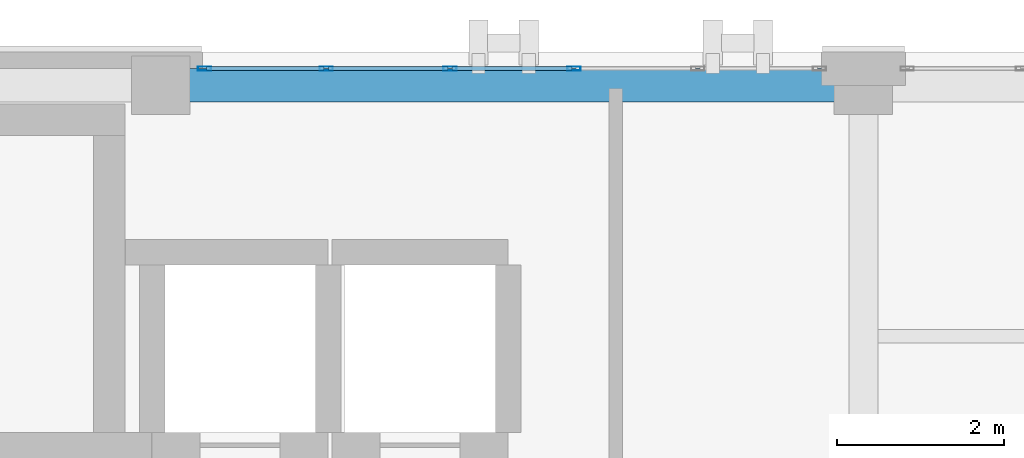
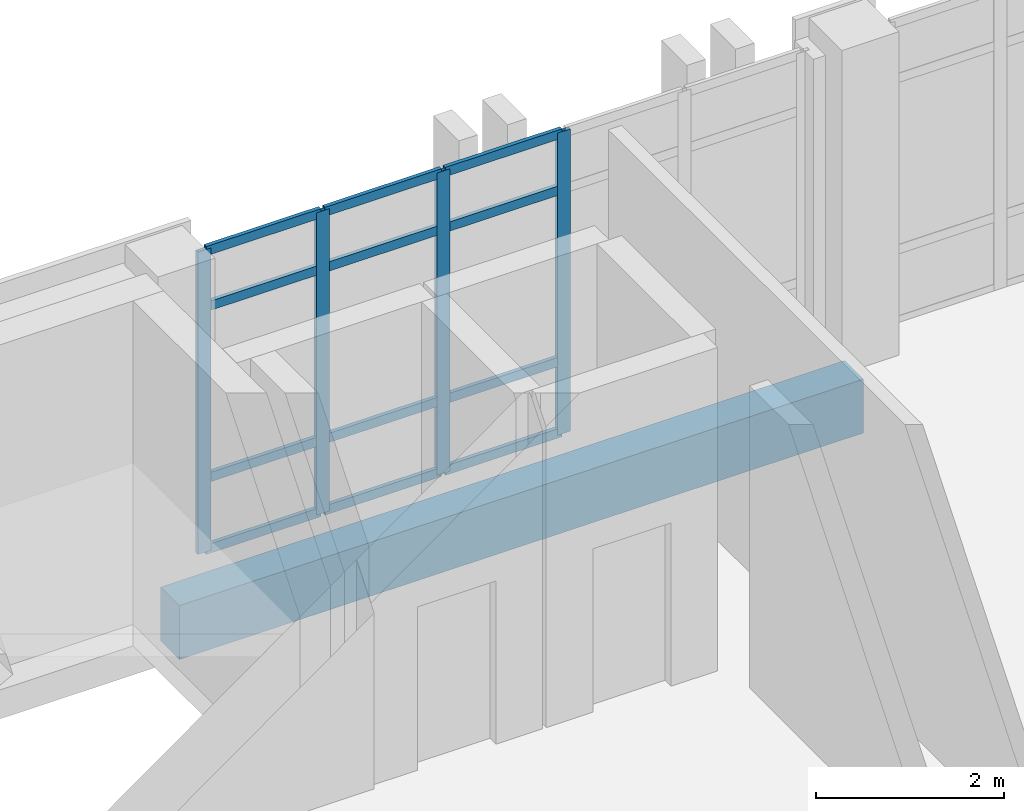
# One storey, part 90 of 158: 16 members, 1 beam, 1 element without a shape of its own.
"""IFC4 building model written with IfcOpenShell, lengths in metres."""

from ifc_helpers import new_model, si_unit, direction, frame, origin, origin_2d, place, context, subcontext, project, spatial, rectangle, hollow_rectangle, extrude, material, layer, layer_set, material_profile, profile_set, type_object, element, aggregate, save


model = new_model("IFC4")

# Units and contexts
model_context = context("Model", 3, precision=1e-05, world=origin(), true_north=direction((0.0, 1.0)))
body_context = subcontext(model_context, "Body", "Model", "MODEL_VIEW")
ifc_project = project(units=[si_unit("LENGTHUNIT", "METRE"), si_unit("AREAUNIT", "SQUARE_METRE"), si_unit("VOLUMEUNIT", "CUBIC_METRE"), si_unit("PLANEANGLEUNIT", "RADIAN"), si_unit("MASSUNIT", "GRAM", prefix="KILO")], contexts=[model_context])

# Site, building, storey
site_placement = place(None, origin())
site = spatial("IfcSite", under=ifc_project, at=site_placement, CompositionType="ELEMENT")
building_placement = place(site_placement, origin())
building = spatial("IfcBuilding", under=site, at=building_placement, Name="Qalavern Law Courts", CompositionType="ELEMENT")
storey_placement = place(building_placement, frame((0.0, 0.0, 18.60009765625)))
storey = spatial("IfcBuildingStorey", under=building, at=storey_placement, Name="L04", CompositionType="ELEMENT", Elevation=18.60009765625)

# Curtain wall, members
ifc_material_1 = material(Name="Anodised aluminium and insulated glazing", Category="aluminium")
ifc_layer = layer(ifc_material_1, 0.166015625)
ifc_layer_set = layer_set([ifc_layer], Name="Anodised aluminium and insulated glazing")
curtain_wall_type = type_object("IfcCurtainWallType", Name="ENV-CW-LIB", PredefinedType="USERDEFINED", material=ifc_layer_set)
curtain_wall_placement = place(storey_placement, origin())
curtain_wall = element("IfcCurtainWall", 1, at=curtain_wall_placement, inside=storey, type_object=curtain_wall_type, Name="V5 unitised curtain wall L04 north 5", ObjectType="UNITISED CURTAIN WALL", PredefinedType="USERDEFINED")
ifc_material_2 = material(Name="Anodised aluminium", Category="aluminium")
ifc_material_profile_1 = material_profile(ifc_material_2, hollow_rectangle(XDim=0.048095703125, YDim=0.159912109375, WallThickness=0.00390625, at=origin_2d()), Name="ALU MULLION 48x160")
ifc_profile_set_1 = profile_set([ifc_material_profile_1], Name="Anodised aluminium")
member_type_1 = type_object("IfcMemberType", Name="ENV-CWM-48x160", PredefinedType="MULLION", material=ifc_profile_set_1)
member_1_placement = place(storey_placement, frame((33.340087890625, 112.800048828125, 0.0), z_axis=(0.0, 0.0, 1.0), x_axis=(0.0, -1.0, 0.0)))
member_1 = element("IfcMember", 2, at=member_1_placement, type_object=member_type_1, Name="CW-05 mullion 3", PredefinedType="MULLION", context=body_context, shape_type="SweptSolid", body=[
    extrude(hollow_rectangle(XDim=0.048095703125, YDim=0.159912109375, WallThickness=0.00390625, at=origin_2d()), origin(), (0.0, 0.0, 1.0), 3.9248046875),
])
member_2_placement = place(storey_placement, frame((31.860107421875, 112.800048828125, 0.0), z_axis=(0.0, 0.0, 1.0), x_axis=(0.0, -1.0, 0.0)))
member_2 = element("IfcMember", 3, at=member_2_placement, type_object=member_type_1, Name="CW-05 mullion 4", PredefinedType="MULLION", context=body_context, shape_type="SweptSolid", body=[
    extrude(hollow_rectangle(XDim=0.048095703125, YDim=0.159912109375, WallThickness=0.00390625, at=origin_2d()), origin(), (0.0, 0.0, 1.0), 3.9248046875),
])
member_3_placement = place(storey_placement, frame((30.3798828125, 112.800048828125, 0.0), z_axis=(0.0, 0.0, 1.0), x_axis=(0.0, -1.0, 0.0)))
member_3 = element("IfcMember", 4, at=member_3_placement, type_object=member_type_1, Name="CW-05 mullion 5", PredefinedType="MULLION", context=body_context, shape_type="SweptSolid", body=[
    extrude(hollow_rectangle(XDim=0.048095703125, YDim=0.159912109375, WallThickness=0.00390625, at=origin_2d()), origin(), (0.0, 0.0, 1.0), 3.9248046875),
])
member_4_placement = place(storey_placement, frame((28.924072265625, 112.800048828125, 0.0), z_axis=(0.0, 0.0, 1.0), x_axis=(0.0, -1.0, 0.0)))
member_4 = element("IfcMember", 5, at=member_4_placement, type_object=member_type_1, Name="CW-05 mullion 6", PredefinedType="MULLION", context=body_context, shape_type="SweptSolid", body=[
    extrude(hollow_rectangle(XDim=0.048095703125, YDim=0.159912109375, WallThickness=0.00390625, at=origin_2d()), origin(), (0.0, 0.0, 1.0), 3.9248046875),
])
ifc_material_profile_2 = material_profile(ifc_material_2, hollow_rectangle(XDim=0.048095703125, YDim=0.1201171875, WallThickness=0.00390625, at=origin_2d()), Name="ALU TRANSOM 48x120")
ifc_profile_set_2 = profile_set([ifc_material_profile_2], Name="Anodised aluminium")
member_type_2 = type_object("IfcMemberType", Name="ENV-CWT-48x120", PredefinedType="USERDEFINED", material=ifc_profile_set_2)
member_5_placement = place(storey_placement, frame((33.31591796875, 112.800048828125, 0.02392578125), z_axis=(-1.0, 0.0, 0.0), x_axis=(0.0, -1.0, 0.0)))
member_5 = element("IfcMember", 6, at=member_5_placement, type_object=member_type_2, Name="CW-05 transom 3.1", ObjectType="TRANSOM", PredefinedType="USERDEFINED", context=body_context, shape_type="SweptSolid", body=[
    extrude(hollow_rectangle(XDim=0.048095703125, YDim=0.1201171875, WallThickness=0.00390625, at=origin_2d()), origin(), (0.0, 0.0, 1.0), 1.431884765625),
])
member_6_placement = place(storey_placement, frame((33.31591796875, 112.800048828125, 0.949951171875), z_axis=(-1.0, 0.0, 0.0), x_axis=(0.0, -1.0, 0.0)))
member_6 = element("IfcMember", 7, at=member_6_placement, type_object=member_type_2, Name="CW-05 transom 3.2", ObjectType="TRANSOM", PredefinedType="USERDEFINED", context=body_context, shape_type="SweptSolid", body=[
    extrude(hollow_rectangle(XDim=0.048095703125, YDim=0.1201171875, WallThickness=0.00390625, at=origin_2d()), origin(), (0.0, 0.0, 1.0), 1.431884765625),
])
member_7_placement = place(storey_placement, frame((33.31591796875, 112.800048828125, 3.1748046875), z_axis=(-1.0, 0.0, 0.0), x_axis=(0.0, -1.0, 0.0)))
member_7 = element("IfcMember", 8, at=member_7_placement, type_object=member_type_2, Name="CW-05 transom 3.3", ObjectType="TRANSOM", PredefinedType="USERDEFINED", context=body_context, shape_type="SweptSolid", body=[
    extrude(hollow_rectangle(XDim=0.048095703125, YDim=0.1201171875, WallThickness=0.00390625, at=origin_2d()), origin(), (0.0, 0.0, 1.0), 1.431884765625),
])
member_8_placement = place(storey_placement, frame((33.31591796875, 112.800048828125, 3.90087890625), z_axis=(-1.0, 0.0, 0.0), x_axis=(0.0, -1.0, 0.0)))
member_8 = element("IfcMember", 9, at=member_8_placement, type_object=member_type_2, Name="CW-05 transom 3.4", ObjectType="TRANSOM", PredefinedType="USERDEFINED", context=body_context, shape_type="SweptSolid", body=[
    extrude(hollow_rectangle(XDim=0.048095703125, YDim=0.1201171875, WallThickness=0.00390625, at=origin_2d()), origin(), (0.0, 0.0, 1.0), 1.431884765625),
])
member_9_placement = place(storey_placement, frame((31.8359375, 112.800048828125, 0.02392578125), z_axis=(-1.0, 0.0, 0.0), x_axis=(0.0, -1.0, 0.0)))
member_9 = element("IfcMember", 10, at=member_9_placement, type_object=member_type_2, Name="CW-05 transom 4.1", ObjectType="TRANSOM", PredefinedType="USERDEFINED", context=body_context, shape_type="SweptSolid", body=[
    extrude(hollow_rectangle(XDim=0.048095703125, YDim=0.1201171875, WallThickness=0.00390625, at=origin_2d()), origin(), (0.0, 0.0, 1.0), 1.431884765625),
])
member_10_placement = place(storey_placement, frame((31.8359375, 112.800048828125, 0.949951171875), z_axis=(-1.0, 0.0, 0.0), x_axis=(0.0, -1.0, 0.0)))
member_10 = element("IfcMember", 11, at=member_10_placement, type_object=member_type_2, Name="CW-05 transom 4.2", ObjectType="TRANSOM", PredefinedType="USERDEFINED", context=body_context, shape_type="SweptSolid", body=[
    extrude(hollow_rectangle(XDim=0.048095703125, YDim=0.1201171875, WallThickness=0.00390625, at=origin_2d()), origin(), (0.0, 0.0, 1.0), 1.431884765625),
])
member_11_placement = place(storey_placement, frame((31.8359375, 112.800048828125, 3.1748046875), z_axis=(-1.0, 0.0, 0.0), x_axis=(0.0, -1.0, 0.0)))
member_11 = element("IfcMember", 12, at=member_11_placement, type_object=member_type_2, Name="CW-05 transom 4.3", ObjectType="TRANSOM", PredefinedType="USERDEFINED", context=body_context, shape_type="SweptSolid", body=[
    extrude(hollow_rectangle(XDim=0.048095703125, YDim=0.1201171875, WallThickness=0.00390625, at=origin_2d()), origin(), (0.0, 0.0, 1.0), 1.431884765625),
])
member_12_placement = place(storey_placement, frame((31.8359375, 112.800048828125, 3.90087890625), z_axis=(-1.0, 0.0, 0.0), x_axis=(0.0, -1.0, 0.0)))
member_12 = element("IfcMember", 13, at=member_12_placement, type_object=member_type_2, Name="CW-05 transom 4.4", ObjectType="TRANSOM", PredefinedType="USERDEFINED", context=body_context, shape_type="SweptSolid", body=[
    extrude(hollow_rectangle(XDim=0.048095703125, YDim=0.1201171875, WallThickness=0.00390625, at=origin_2d()), origin(), (0.0, 0.0, 1.0), 1.431884765625),
])
member_13_placement = place(storey_placement, frame((30.35595703125, 112.800048828125, 0.02392578125), z_axis=(-1.0, 0.0, 0.0), x_axis=(0.0, -1.0, 0.0)))
member_13 = element("IfcMember", 14, at=member_13_placement, type_object=member_type_2, Name="CW-05 transom 5.1", ObjectType="TRANSOM", PredefinedType="USERDEFINED", context=body_context, shape_type="SweptSolid", body=[
    extrude(hollow_rectangle(XDim=0.048095703125, YDim=0.1201171875, WallThickness=0.00390625, at=origin_2d()), origin(), (0.0, 0.0, 1.0), 1.407958984375),
])
member_14_placement = place(storey_placement, frame((30.35595703125, 112.800048828125, 0.949951171875), z_axis=(-1.0, 0.0, 0.0), x_axis=(0.0, -1.0, 0.0)))
member_14 = element("IfcMember", 15, at=member_14_placement, type_object=member_type_2, Name="CW-05 transom 5.2", ObjectType="TRANSOM", PredefinedType="USERDEFINED", context=body_context, shape_type="SweptSolid", body=[
    extrude(hollow_rectangle(XDim=0.048095703125, YDim=0.1201171875, WallThickness=0.00390625, at=origin_2d()), origin(), (0.0, 0.0, 1.0), 1.407958984375),
])
member_15_placement = place(storey_placement, frame((30.35595703125, 112.800048828125, 3.1748046875), z_axis=(-1.0, 0.0, 0.0), x_axis=(0.0, -1.0, 0.0)))
member_15 = element("IfcMember", 16, at=member_15_placement, type_object=member_type_2, Name="CW-05 transom 5.3", ObjectType="TRANSOM", PredefinedType="USERDEFINED", context=body_context, shape_type="SweptSolid", body=[
    extrude(hollow_rectangle(XDim=0.048095703125, YDim=0.1201171875, WallThickness=0.00390625, at=origin_2d()), origin(), (0.0, 0.0, 1.0), 1.407958984375),
])
member_16_placement = place(storey_placement, frame((30.35595703125, 112.800048828125, 3.90087890625), z_axis=(-1.0, 0.0, 0.0), x_axis=(0.0, -1.0, 0.0)))
member_16 = element("IfcMember", 17, at=member_16_placement, type_object=member_type_2, Name="CW-05 transom 5.4", ObjectType="TRANSOM", PredefinedType="USERDEFINED", context=body_context, shape_type="SweptSolid", body=[
    extrude(hollow_rectangle(XDim=0.048095703125, YDim=0.1201171875, WallThickness=0.00390625, at=origin_2d()), origin(), (0.0, 0.0, 1.0), 1.407958984375),
])
aggregate(curtain_wall, [member_1, member_2, member_3, member_4, member_5, member_6, member_7, member_8, member_9, member_10, member_11, member_12, member_13, member_14, member_15, member_16])

# Beam
ifc_material_3 = material(Name="Concrete C40/50", Category="concrete")
ifc_material_profile_3 = material_profile(ifc_material_3, rectangle(XDim=0.39990234375, YDim=0.699951171875, at=origin_2d()), Name="RC 400x700")
ifc_profile_set_3 = profile_set([ifc_material_profile_3], Name="Concrete C40/50")
beam_type = type_object("IfcBeamType", Name="STR-SP-RC400x700", PredefinedType="SPANDREL", material=ifc_profile_set_3)
beam_placement = place(storey_placement, frame((28.39990234375, 112.60009765625, -0.630126953125), z_axis=(1.0, 0.0, 0.0), x_axis=(0.0, 1.0, 0.0)))
element("IfcBeam", 18, at=beam_placement, inside=storey, type_object=beam_type, Name="V5 X-beam 3-4 L04", PredefinedType="SPANDREL", context=body_context, shape_type="SweptSolid", body=[
    extrude(rectangle(XDim=0.39990234375, YDim=0.699951171875, at=origin_2d()), origin(), (0.0, 0.0, 1.0), 8.400146484375),
])

save(model, "model.ifc")
